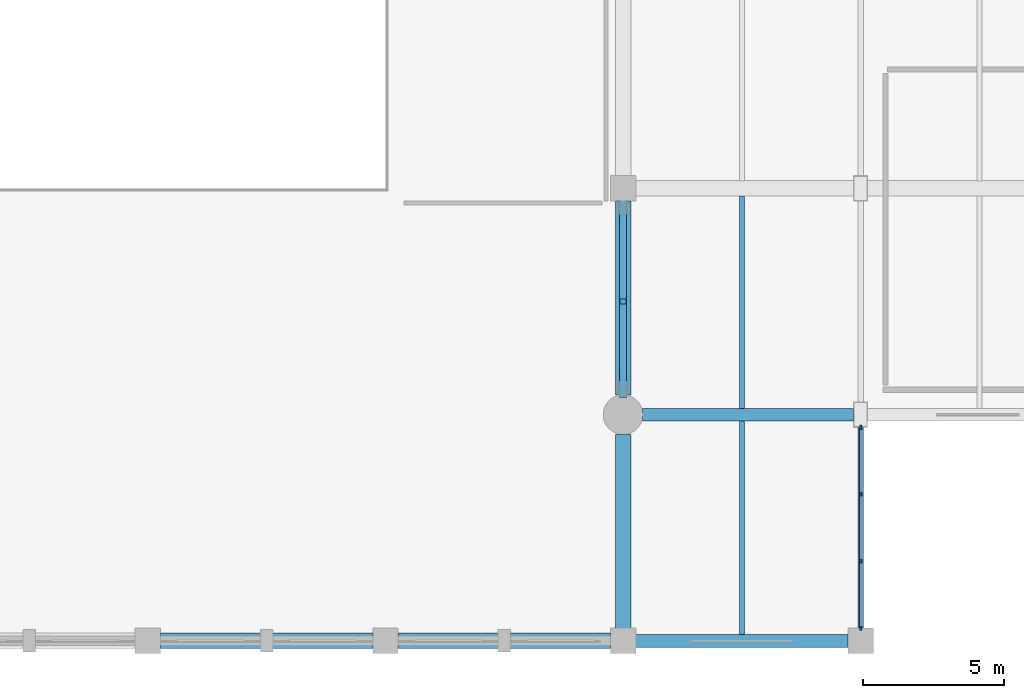
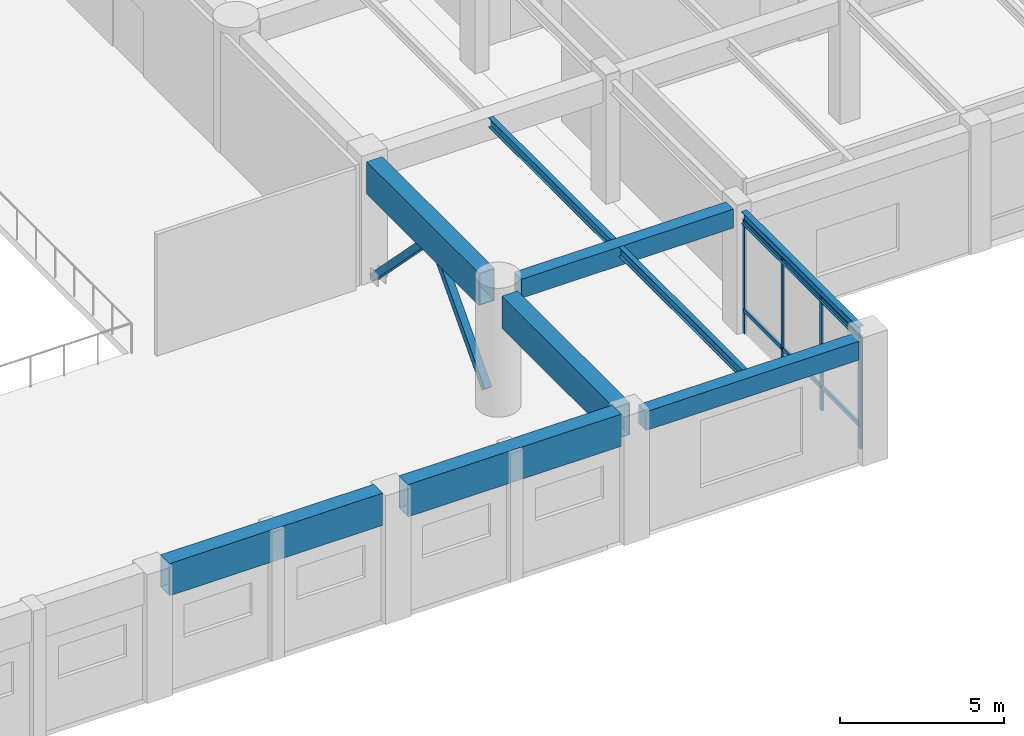
# One storey, part 12 of 76: 12 members, 9 beams, 1 element without a shape of its own.
"""IFC4 building model written with IfcOpenShell, lengths in metres."""

from ifc_helpers import new_model, si_unit, direction, frame, origin, origin_2d, place, context, subcontext, project, spatial, rectangle, hollow_rectangle, i_section, extrude, material, layer, layer_set, material_profile, profile_set, type_object, element, aggregate, save


model = new_model("IFC4")

# Units and contexts
model_context = context("Model", 3, precision=1e-05, world=origin(), true_north=direction((0.0, 1.0)))
body_context = subcontext(model_context, "Body", "Model", "MODEL_VIEW")
ifc_project = project(units=[si_unit("LENGTHUNIT", "METRE"), si_unit("AREAUNIT", "SQUARE_METRE"), si_unit("VOLUMEUNIT", "CUBIC_METRE"), si_unit("PLANEANGLEUNIT", "RADIAN"), si_unit("MASSUNIT", "GRAM", prefix="KILO")], contexts=[model_context])

# Site, building, storey
site_placement = place(None, origin())
site = spatial("IfcSite", under=ifc_project, at=site_placement, CompositionType="ELEMENT")
building_placement = place(site_placement, origin())
building = spatial("IfcBuilding", under=site, at=building_placement, Name="Naruveol Harbour Congress Hotel", CompositionType="ELEMENT")
storey_placement = place(building_placement, frame((0.0, 0.0, 11.39990234375)))
storey = spatial("IfcBuildingStorey", under=building, at=storey_placement, Name="L02", CompositionType="ELEMENT", Elevation=11.39990234375)

# Beams
ifc_material_1 = material(Name="Concrete C40/50", Category="concrete")
ifc_material_profile_1 = material_profile(ifc_material_1, rectangle(XDim=0.449951171875, YDim=0.699951171875, at=origin_2d()), Name="RCB-450x700")
ifc_profile_set_1 = profile_set([ifc_material_profile_1], Name="Concrete C40/50")
beam_type_1 = type_object("IfcBeamType", Name="RC SPANDREL BEAM 450X700", PredefinedType="SPANDREL", material=ifc_profile_set_1)
beam_1_placement = place(storey_placement, frame((50.845947265625, 0.0, 4.190185546875), z_axis=(1.0, 0.0, 0.0), x_axis=(0.0, 1.0, 0.0)))
element("IfcBeam", 1, at=beam_1_placement, inside=storey, type_object=beam_type_1, Name="Floor girder L03 SPB1", PredefinedType="SPANDREL", context=body_context, shape_type="SweptSolid", body=[
    extrude(rectangle(XDim=0.449951171875, YDim=0.699951171875, at=origin_2d()), origin(), (0.0, 0.0, 1.0), 7.508056640625),
])
beam_2_placement = place(storey_placement, frame((51.095947265625, 8.0, 4.190185546875), z_axis=(1.0, 0.0, 0.0), x_axis=(0.0, 1.0, 0.0)))
element("IfcBeam", 2, at=beam_2_placement, inside=storey, type_object=beam_type_1, Name="Floor girder L03 SPB1", PredefinedType="SPANDREL", context=body_context, shape_type="SweptSolid", body=[
    extrude(rectangle(XDim=0.449951171875, YDim=0.699951171875, at=origin_2d()), origin(), (0.0, 0.0, 1.0), 7.4580078125),
])

# Members
ifc_material_2 = material(Name="Steel SN490", Category="steel")
ifc_material_profile_2 = material_profile(ifc_material_2, hollow_rectangle(XDim=0.25, YDim=0.25, WallThickness=0.011962890625, at=origin_2d()), Name="SHS-250x250x12")
ifc_profile_set_2 = profile_set([ifc_material_profile_2], Name="Steel SN490")
member_type_1 = type_object("IfcMemberType", Name="STEEL LATERAL FRAME BRACE SHS250", PredefinedType="BRACE", material=ifc_profile_set_2)
member_1_placement = place(storey_placement, frame((50.39990234375, 8.68994140625, 0.16015625), z_axis=(0.0, 0.673804939099, 0.73890926645), x_axis=(-1.0, 0.0, 0.0)))
element("IfcMember", 3, at=member_1_placement, inside=storey, type_object=member_type_1, Name="Lateral chevron brace L02 #16A", PredefinedType="BRACE", context=body_context, shape_type="SweptSolid", body=[
    extrude(hollow_rectangle(XDim=0.25, YDim=0.25, WallThickness=0.011962890625, at=origin_2d()), origin(), (0.0, 0.0, 1.0), 4.91259765625),
])
member_2_placement = place(storey_placement, frame((50.39990234375, 15.56005859375, 0.16015625), z_axis=(0.0, -0.700206784164, 0.713940095114), x_axis=(1.0, 0.0, 0.0)))
element("IfcMember", 4, at=member_2_placement, inside=storey, type_object=member_type_1, Name="Lateral chevron brace L02 #16B", PredefinedType="BRACE", context=body_context, shape_type="SweptSolid", body=[
    extrude(hollow_rectangle(XDim=0.25, YDim=0.25, WallThickness=0.011962890625, at=origin_2d()), origin(), (0.0, 0.0, 1.0), 5.084228515625),
])

# Beams
ifc_material_3 = material(Name="Steel SN490", Category="steel")
ifc_material_profile_3 = material_profile(ifc_material_3, hollow_rectangle(XDim=0.550048828125, YDim=1.199951171875, WallThickness=0.028076171875, at=origin_2d()), Name="RHS-1200x550x28")
ifc_profile_set_3 = profile_set([ifc_material_profile_3], Name="Steel SN490")
beam_type_2 = type_object("IfcBeamType", Name="STEEL RING BOX GIRDER 1200X550", PredefinedType="BEAM", material=ifc_profile_set_3)
for number, where, z_axis, x_axis, name in (
    (5, (34.0458984375, 0.0, 4.2001953125), (1.0, 0.0, 0.0), (0.0, 1.0, 0.0), "Congress ring girder RG1"),
    (6, (42.446044921875, 0.0, 4.2001953125), (1.0, 0.0, 0.0), (0.0, 1.0, 0.0), "Congress ring girder RG1"),
):
    element("IfcBeam", number, at=place(storey_placement, frame(where, z_axis=z_axis, x_axis=x_axis)), inside=storey, type_object=beam_type_2, Name=name, PredefinedType="BEAM", context=body_context, shape_type="SweptSolid", body=[
        extrude(hollow_rectangle(XDim=0.550048828125, YDim=1.199951171875, WallThickness=0.028076171875, at=origin_2d()), origin(), (0.0, 0.0, 1.0), 7.508056640625),
    ])
for number, where, z_axis, x_axis, name in (
    (7, (50.39990234375, 0.446044921875, 3.940185546875), (0.0, 1.0, 0.0), (-1.0, 0.0, 0.0), "Congress ring girder RG1"),
    (8, (50.39990234375, 8.696044921875, 3.940185546875), (0.0, 1.0, 0.0), (-1.0, 0.0, 0.0), "Congress ring girder RG1"),
):
    element("IfcBeam", number, at=place(storey_placement, frame(where, z_axis=z_axis, x_axis=x_axis)), inside=storey, type_object=beam_type_2, Name=name, PredefinedType="BEAM", context=body_context, shape_type="SweptSolid", body=[
        extrude(hollow_rectangle(XDim=0.550048828125, YDim=1.199951171875, WallThickness=0.028076171875, at=origin_2d()), origin(), (0.0, 0.0, 1.0), 6.85791015625),
    ])
ifc_material_4 = material(Name="Steel SN490", Category="steel")
ifc_material_profile_4 = material_profile(ifc_material_4, i_section(OverallWidth=0.175048828125, OverallDepth=0.35009765625, WebThickness=0.007080078125, FlangeThickness=0.010986328125, at=origin_2d()), Name="H-350x175x7x11")
ifc_profile_set_4 = profile_set([ifc_material_profile_4], Name="Steel SN490")
beam_type_3 = type_object("IfcBeamType", Name="STEEL SECONDARY JOIST H350", PredefinedType="JOIST", material=ifc_profile_set_4)
beam_3_placement = place(storey_placement, frame((54.60009765625, 0.220947265625, 4.364990234375), z_axis=(0.0, 1.0, 0.0), x_axis=(-1.0, 0.0, 0.0)))
element("IfcBeam", 9, at=beam_3_placement, inside=storey, type_object=beam_type_3, Name="Secondary floor joist L03 SJ2", PredefinedType="JOIST", context=body_context, shape_type="SweptSolid", body=[
    extrude(i_section(OverallWidth=0.175048828125, OverallDepth=0.35009765625, WebThickness=0.007080078125, FlangeThickness=0.010986328125, at=origin_2d()), origin(), (0.0, 0.0, 1.0), 7.55810546875),
])
beam_4_placement = place(storey_placement, frame((54.60009765625, 8.220947265625, 4.364990234375), z_axis=(0.0, 1.0, 0.0), x_axis=(-1.0, 0.0, 0.0)))
element("IfcBeam", 10, at=beam_4_placement, inside=storey, type_object=beam_type_3, Name="Secondary floor joist L03 SJ2", PredefinedType="JOIST", context=body_context, shape_type="SweptSolid", body=[
    extrude(i_section(OverallWidth=0.175048828125, OverallDepth=0.35009765625, WebThickness=0.007080078125, FlangeThickness=0.010986328125, at=origin_2d()), origin(), (0.0, 0.0, 1.0), 7.508056640625),
])
ifc_material_5 = material(Name="Steel SN490", Category="steel")
ifc_material_profile_5 = material_profile(ifc_material_5, i_section(OverallWidth=0.199951171875, OverallDepth=0.449951171875, WebThickness=0.009033203125, FlangeThickness=0.013916015625, at=origin_2d()), Name="H-450x200x9x14")
ifc_profile_set_5 = profile_set([ifc_material_profile_5], Name="Steel SN490")
beam_type_4 = type_object("IfcBeamType", Name="STEEL SPANDREL EDGE BEAM H450", PredefinedType="SPANDREL", material=ifc_profile_set_5)
beam_5_placement = place(storey_placement, frame((58.800048828125, 0.446044921875, 4.315185546875), z_axis=(0.0, 1.0, 0.0), x_axis=(-1.0, 0.0, 0.0)))
element("IfcBeam", 11, at=beam_5_placement, inside=storey, type_object=beam_type_4, Name="Transverse girder L03 SPB2", PredefinedType="SPANDREL", context=body_context, shape_type="SweptSolid", body=[
    extrude(i_section(OverallWidth=0.199951171875, OverallDepth=0.449951171875, WebThickness=0.009033203125, FlangeThickness=0.013916015625, at=origin_2d()), origin(), (0.0, 0.0, 1.0), 7.10791015625),
])

# Curtain wall, members
ifc_material_6 = material(Name="Low-E Curtain Wall System", Category="glass")
ifc_layer = layer(ifc_material_6, 0.179931640625)
ifc_layer_set = layer_set([ifc_layer], Name="Low-E Curtain Wall System")
curtain_wall_type = type_object("IfcCurtainWallType", Name="UNITISED CURTAIN WALL CW-V1F-06 7100X4220", PredefinedType="USERDEFINED", material=ifc_layer_set)
curtain_wall_placement = place(storey_placement, origin())
curtain_wall = element("IfcCurtainWall", 12, at=curtain_wall_placement, inside=storey, type_object=curtain_wall_type, Name="Unitised curtain wall CW-V1F-06 L02", ObjectType="UNITISED GLAZING", PredefinedType="USERDEFINED")
ifc_material_7 = material(Name="Anodised Aluminium 6063-T6", Category="aluminium")
ifc_material_profile_6 = material_profile(ifc_material_7, rectangle(XDim=0.06494140625, YDim=0.14990234375, at=origin_2d()), Name="ALU-65x150")
ifc_profile_set_6 = profile_set([ifc_material_profile_6], Name="Anodised Aluminium 6063-T6")
member_type_2 = type_object("IfcMemberType", Name="THERMAL ALUMINIUM MULLION 65X150", PredefinedType="MULLION", material=ifc_profile_set_6)
member_3_placement = place(storey_placement, frame((58.800048828125, 7.550048828125, 0.0), z_axis=(0.0, 0.0, 1.0), x_axis=(1.0, 0.0, 0.0)))
member_3 = element("IfcMember", 13, at=member_3_placement, type_object=member_type_2, Name="Curtain wall mullion CW-L02-0006-M0", PredefinedType="MULLION", context=body_context, shape_type="SweptSolid", body=[
    extrude(rectangle(XDim=0.06494140625, YDim=0.14990234375, at=origin_2d()), origin(), (0.0, 0.0, 1.0), 4.22021484375),
])
member_4_placement = place(storey_placement, frame((58.800048828125, 5.183349609375, 0.0), z_axis=(0.0, 0.0, 1.0), x_axis=(1.0, 0.0, 0.0)))
member_4 = element("IfcMember", 14, at=member_4_placement, type_object=member_type_2, Name="Curtain wall mullion CW-L02-0006-M1", PredefinedType="MULLION", context=body_context, shape_type="SweptSolid", body=[
    extrude(rectangle(XDim=0.06494140625, YDim=0.14990234375, at=origin_2d()), origin(), (0.0, 0.0, 1.0), 4.22021484375),
])
member_5_placement = place(storey_placement, frame((58.800048828125, 2.816650390625, 0.0), z_axis=(0.0, 0.0, 1.0), x_axis=(1.0, 0.0, 0.0)))
member_5 = element("IfcMember", 15, at=member_5_placement, type_object=member_type_2, Name="Curtain wall mullion CW-L02-0006-M2", PredefinedType="MULLION", context=body_context, shape_type="SweptSolid", body=[
    extrude(rectangle(XDim=0.06494140625, YDim=0.14990234375, at=origin_2d()), origin(), (0.0, 0.0, 1.0), 4.22021484375),
])
member_6_placement = place(storey_placement, frame((58.800048828125, 0.449951171875, 0.0), z_axis=(0.0, 0.0, 1.0), x_axis=(1.0, 0.0, 0.0)))
member_6 = element("IfcMember", 16, at=member_6_placement, type_object=member_type_2, Name="Curtain wall mullion CW-L02-0006-M3", PredefinedType="MULLION", context=body_context, shape_type="SweptSolid", body=[
    extrude(rectangle(XDim=0.06494140625, YDim=0.14990234375, at=origin_2d()), origin(), (0.0, 0.0, 1.0), 4.22021484375),
])
ifc_material_8 = material(Name="Anodised Aluminium 6063-T6", Category="aluminium")
ifc_material_profile_7 = material_profile(ifc_material_8, rectangle(XDim=0.074951171875, YDim=0.14990234375, at=origin_2d()), Name="ALU-75x150")
ifc_profile_set_7 = profile_set([ifc_material_profile_7], Name="Anodised Aluminium 6063-T6")
member_type_3 = type_object("IfcMemberType", Name="THERMAL ALUMINIUM TRANSOM 75X150", PredefinedType="USERDEFINED", material=ifc_profile_set_7)
member_7_placement = place(storey_placement, frame((58.800048828125, 7.510009765625, 0.85009765625), z_axis=(0.0, -1.0, 0.0), x_axis=(1.0, 0.0, 0.0)))
member_7 = element("IfcMember", 17, at=member_7_placement, type_object=member_type_3, Name="Curtain wall transom CW-L02-0006-T0.1", ObjectType="TRANSOM", PredefinedType="USERDEFINED", context=body_context, shape_type="SweptSolid", body=[
    extrude(rectangle(XDim=0.074951171875, YDim=0.14990234375, at=origin_2d()), origin(), (0.0, 0.0, 1.0), 2.28662109375),
])
member_8_placement = place(storey_placement, frame((58.800048828125, 7.510009765625, 4.14013671875), z_axis=(0.0, -1.0, 0.0), x_axis=(1.0, 0.0, 0.0)))
member_8 = element("IfcMember", 18, at=member_8_placement, type_object=member_type_3, Name="Curtain wall transom CW-L02-0006-T0.2", ObjectType="TRANSOM", PredefinedType="USERDEFINED", context=body_context, shape_type="SweptSolid", body=[
    extrude(rectangle(XDim=0.074951171875, YDim=0.14990234375, at=origin_2d()), origin(), (0.0, 0.0, 1.0), 2.28662109375),
])
member_9_placement = place(storey_placement, frame((58.800048828125, 5.143310546875, 0.85009765625), z_axis=(0.0, -1.0, 0.0), x_axis=(1.0, 0.0, 0.0)))
member_9 = element("IfcMember", 19, at=member_9_placement, type_object=member_type_3, Name="Curtain wall transom CW-L02-0006-T1.1", ObjectType="TRANSOM", PredefinedType="USERDEFINED", context=body_context, shape_type="SweptSolid", body=[
    extrude(rectangle(XDim=0.074951171875, YDim=0.14990234375, at=origin_2d()), origin(), (0.0, 0.0, 1.0), 2.28662109375),
])
member_10_placement = place(storey_placement, frame((58.800048828125, 5.143310546875, 4.14013671875), z_axis=(0.0, -1.0, 0.0), x_axis=(1.0, 0.0, 0.0)))
member_10 = element("IfcMember", 20, at=member_10_placement, type_object=member_type_3, Name="Curtain wall transom CW-L02-0006-T1.2", ObjectType="TRANSOM", PredefinedType="USERDEFINED", context=body_context, shape_type="SweptSolid", body=[
    extrude(rectangle(XDim=0.074951171875, YDim=0.14990234375, at=origin_2d()), origin(), (0.0, 0.0, 1.0), 2.28662109375),
])
member_11_placement = place(storey_placement, frame((58.800048828125, 2.776611328125, 0.85009765625), z_axis=(0.0, -1.0, 0.0), x_axis=(1.0, 0.0, 0.0)))
member_11 = element("IfcMember", 21, at=member_11_placement, type_object=member_type_3, Name="Curtain wall transom CW-L02-0006-T2.1", ObjectType="TRANSOM", PredefinedType="USERDEFINED", context=body_context, shape_type="SweptSolid", body=[
    extrude(rectangle(XDim=0.074951171875, YDim=0.14990234375, at=origin_2d()), origin(), (0.0, 0.0, 1.0), 2.28662109375),
])
member_12_placement = place(storey_placement, frame((58.800048828125, 2.776611328125, 4.14013671875), z_axis=(0.0, -1.0, 0.0), x_axis=(1.0, 0.0, 0.0)))
member_12 = element("IfcMember", 22, at=member_12_placement, type_object=member_type_3, Name="Curtain wall transom CW-L02-0006-T2.2", ObjectType="TRANSOM", PredefinedType="USERDEFINED", context=body_context, shape_type="SweptSolid", body=[
    extrude(rectangle(XDim=0.074951171875, YDim=0.14990234375, at=origin_2d()), origin(), (0.0, 0.0, 1.0), 2.28662109375),
])
aggregate(curtain_wall, [member_3, member_4, member_5, member_6, member_7, member_8, member_9, member_10, member_11, member_12])

save(model, "model.ifc")
